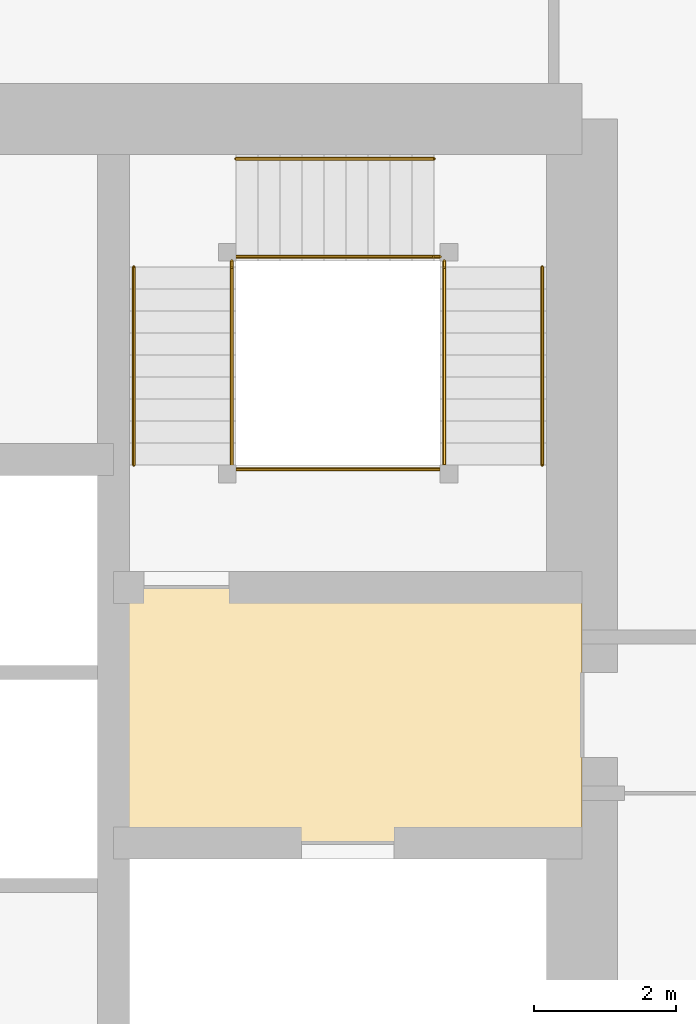
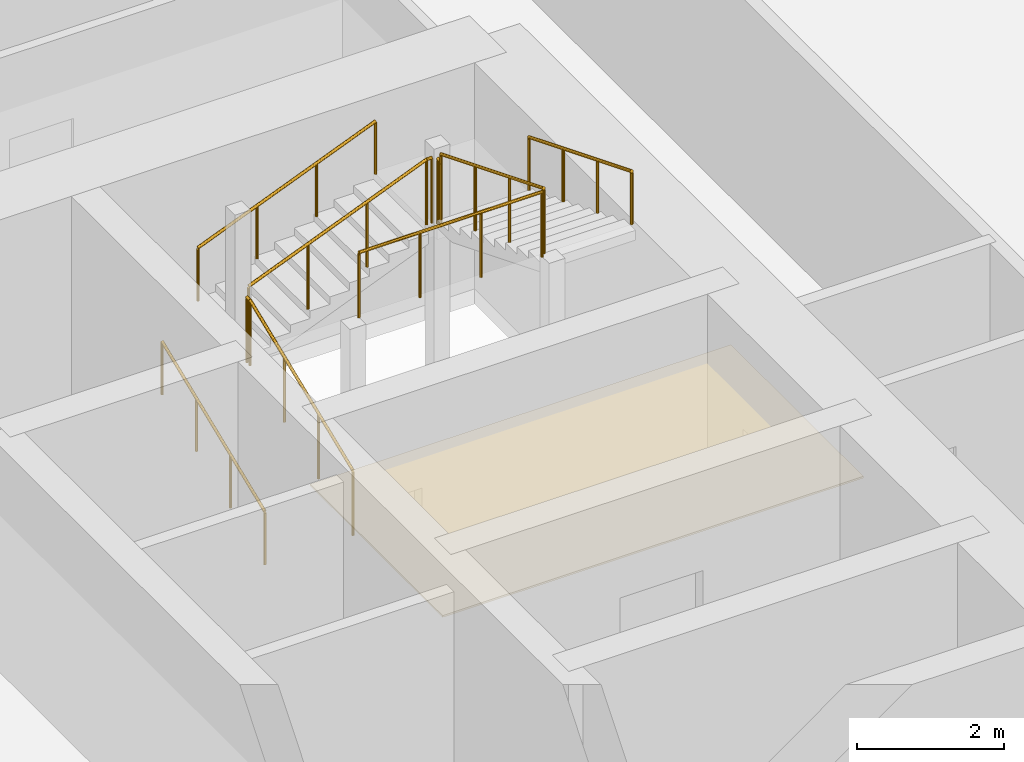
# One storey, part 32 of 33: 10 railings, 1 covering.
"""IFC4 building model written with IfcOpenShell, lengths in metres."""

from ifc_helpers import new_model, si_unit, direction, frame, origin, origin_2d, place, context, subcontext, project, spatial, polyline, circle, outline, extrude, material, layer, layer_set, type_object, element, save


model = new_model("IFC4")

# Units and contexts
model_context = context("Model", 3, precision=1e-05, world=origin(), true_north=direction((0.0, 1.0)))
body_context = subcontext(model_context, "Body", "Model", "MODEL_VIEW")
ifc_project = project(units=[si_unit("LENGTHUNIT", "METRE"), si_unit("AREAUNIT", "SQUARE_METRE"), si_unit("VOLUMEUNIT", "CUBIC_METRE"), si_unit("PLANEANGLEUNIT", "RADIAN"), si_unit("MASSUNIT", "GRAM", prefix="KILO")], contexts=[model_context])

# Site, building, storey
site_placement = place(None, origin())
site = spatial("IfcSite", under=ifc_project, at=site_placement, CompositionType="ELEMENT")
building_placement = place(site_placement, origin())
building = spatial("IfcBuilding", under=site, at=building_placement, Name="Rekha Terrace Tower", CompositionType="ELEMENT")
storey_placement = place(building_placement, frame((0.0, 0.0, 206.449951171875)))
storey = spatial("IfcBuildingStorey", under=building, at=storey_placement, Name="L52", CompositionType="ELEMENT", Elevation=206.449951171875)

# Covering
ifc_material_1 = material(Name="Powder-coated aluminium pan", Category="aluminium")
ifc_layer = layer(ifc_material_1, 0.030029296875)
ifc_layer_set = layer_set([ifc_layer], Name="Powder-coated aluminium pan")
covering_type = type_object("IfcCoveringType", Name="CL3 300x1200 metal pan ceiling", PredefinedType="CEILING", material=ifc_layer_set)
covering_placement = place(storey_placement, frame((0.0, 0.0, 2.570068359375)))
element("IfcCovering", 1, at=covering_placement, inside=storey, type_object=covering_type, Name="Ceiling L52-FLB2", PredefinedType="CEILING", context=body_context, shape_type="SweptSolid", body=[
    extrude(outline(polyline([(50.39990234375, 39.60009765625), (43.800048828125, 39.60009765625), (43.800048828125, 36.0), (50.39990234375, 36.0), (50.39990234375, 39.60009765625)])), origin(), (0.0, 0.0, 1.0), 0.030029296875),
])

# Railings
ifc_material_2 = material(Name="Stainless steel balustrade", Category="steel")
railing_type_1 = type_object("IfcRailingType", Name="GR1 1100 stair guard", PredefinedType="GUARDRAIL", material=ifc_material_2)
railing_1_placement = place(storey_placement, frame((45.465087890625, 41.324951171875, 0.125)))
element("IfcRailing", 2, at=railing_1_placement, inside=storey, type_object=railing_type_1, Name="Guard ST2 L52 flight 1", PredefinedType="GUARDRAIL", context=body_context, shape_type="SweptSolid", body=[
    extrude(circle(Radius=0.02392578125, at=origin_2d()), frame((0.0, 0.0, 1.076171875), z_axis=(0.0, 0.927443287984, 0.373963831907), x_axis=(-1.0, 0.0, 0.0)), (0.0, 0.0, 1.0), 3.00830078125),
    extrude(circle(Radius=0.02099609375, at=origin_2d()), origin(), (0.0, 0.0, 1.0), 1.052001953125),
    extrude(circle(Radius=0.02099609375, at=origin_2d()), frame((0.0, 0.929931640625, 0.375)), (0.0, 0.0, 1.0), 1.052001953125),
    extrude(circle(Radius=0.02099609375, at=origin_2d()), frame((0.0, 1.860107421875, 0.75)), (0.0, 0.0, 1.0), 1.052001953125),
    extrude(circle(Radius=0.02099609375, at=origin_2d()), frame((0.0, 2.7900390625, 1.125)), (0.0, 0.0, 1.0), 1.052001953125),
])
railing_2_placement = place(storey_placement, frame((45.52490234375, 44.260009765625, 1.375)))
element("IfcRailing", 3, at=railing_2_placement, inside=storey, type_object=railing_type_1, Name="Guard ST2 L52 flight 2", PredefinedType="GUARDRAIL", context=body_context, shape_type="SweptSolid", body=[
    extrude(circle(Radius=0.02392578125, at=origin_2d()), frame((0.0, 0.0, 1.076171875), z_axis=(0.927443287984, 0.0, 0.373963831907), x_axis=(0.0, 1.0, 0.0)), (0.0, 0.0, 1.0), 3.00830078125),
    extrude(circle(Radius=0.02099609375, at=origin_2d()), origin(), (0.0, 0.0, 1.0), 1.052001953125),
    extrude(circle(Radius=0.02099609375, at=origin_2d()), frame((0.929931640625, 0.0, 0.375)), (0.0, 0.0, 1.0), 1.052001953125),
    extrude(circle(Radius=0.02099609375, at=origin_2d()), frame((1.860107421875, 0.0, 0.75)), (0.0, 0.0, 1.0), 1.052001953125),
    extrude(circle(Radius=0.02099609375, at=origin_2d()), frame((2.7900390625, 0.0, 1.125)), (0.0, 0.0, 1.0), 1.052001953125),
])
railing_3_placement = place(storey_placement, frame((48.4599609375, 44.114990234375, 2.625)))
element("IfcRailing", 4, at=railing_3_placement, inside=storey, type_object=railing_type_1, Name="Guard ST2 L52 flight 3", PredefinedType="GUARDRAIL", context=body_context, shape_type="SweptSolid", body=[
    extrude(circle(Radius=0.02392578125, at=origin_2d()), frame((0.0, 0.0, 1.076171875), z_axis=(0.0, -0.927443287984, 0.373963831907), x_axis=(1.0, 0.0, 0.0)), (0.0, 0.0, 1.0), 3.00830078125),
    extrude(circle(Radius=0.02099609375, at=origin_2d()), origin(), (0.0, 0.0, 1.0), 1.052001953125),
    extrude(circle(Radius=0.02099609375, at=origin_2d()), frame((0.0, -0.929931640625, 0.375)), (0.0, 0.0, 1.0), 1.052001953125),
    extrude(circle(Radius=0.02099609375, at=origin_2d()), frame((0.0, -1.860107421875, 0.75)), (0.0, 0.0, 1.0), 1.052001953125),
    extrude(circle(Radius=0.02099609375, at=origin_2d()), frame((0.0, -2.7900390625, 1.125)), (0.0, 0.0, 1.0), 1.052001953125),
])
railing_4_placement = place(storey_placement, frame((45.465087890625, 44.114990234375, 1.25)))
element("IfcRailing", 5, at=railing_4_placement, inside=storey, type_object=railing_type_1, Name="Guard ST2 L52 landing 1", PredefinedType="GUARDRAIL", context=body_context, shape_type="SweptSolid", body=[
    extrude(circle(Radius=0.02392578125, at=origin_2d()), frame((0.0, 0.0, 1.076171875), z_axis=(0.0, 1.0, 0.0), x_axis=(-1.0, 0.0, 0.0)), (0.0, 0.0, 1.0), 0.0849609375),
    extrude(circle(Radius=0.02099609375, at=origin_2d()), origin(), (0.0, 0.0, 1.0), 1.052001953125),
    extrude(circle(Radius=0.02099609375, at=origin_2d()), frame((0.0, 0.0849609375, 0.0)), (0.0, 0.0, 1.0), 1.052001953125),
])
railing_5_placement = place(storey_placement, frame((48.31494140625, 44.260009765625, 2.5)))
element("IfcRailing", 6, at=railing_5_placement, inside=storey, type_object=railing_type_1, Name="Guard ST2 L52 landing 2", PredefinedType="GUARDRAIL", context=body_context, shape_type="SweptSolid", body=[
    extrude(circle(Radius=0.02392578125, at=origin_2d()), frame((0.0, 0.0, 1.076171875), z_axis=(1.0, 0.0, 0.0), x_axis=(0.0, 1.0, 0.0)), (0.0, 0.0, 1.0), 0.0849609375),
    extrude(circle(Radius=0.02099609375, at=origin_2d()), origin(), (0.0, 0.0, 1.0), 1.052001953125),
    extrude(circle(Radius=0.02099609375, at=origin_2d()), frame((0.0849609375, 0.0, 0.0)), (0.0, 0.0, 1.0), 1.052001953125),
])
railing_6_placement = place(storey_placement, frame((48.4599609375, 44.114990234375, 2.5)))
element("IfcRailing", 7, at=railing_6_placement, inside=storey, type_object=railing_type_1, Name="Guard ST2 L52 landing 3", PredefinedType="GUARDRAIL", context=body_context, shape_type="SweptSolid", body=[
    extrude(circle(Radius=0.02392578125, at=origin_2d()), frame((0.0, 0.0, 1.076171875), z_axis=(0.0, 1.0, 0.0), x_axis=(-1.0, 0.0, 0.0)), (0.0, 0.0, 1.0), 0.0849609375),
    extrude(circle(Radius=0.02099609375, at=origin_2d()), origin(), (0.0, 0.0, 1.0), 1.052001953125),
    extrude(circle(Radius=0.02099609375, at=origin_2d()), frame((0.0, 0.0849609375, 0.0)), (0.0, 0.0, 1.0), 1.052001953125),
])
railing_7_placement = place(storey_placement, frame((45.52490234375, 41.264892578125, 3.75)))
element("IfcRailing", 8, at=railing_7_placement, inside=storey, type_object=railing_type_1, Name="Guard ST2 L52 landing 4", PredefinedType="GUARDRAIL", context=body_context, shape_type="SweptSolid", body=[
    extrude(circle(Radius=0.02392578125, at=origin_2d()), frame((0.0, 0.0, 1.076171875), z_axis=(1.0, 0.0, 0.0), x_axis=(0.0, 1.0, 0.0)), (0.0, 0.0, 1.0), 2.875),
    extrude(circle(Radius=0.02099609375, at=origin_2d()), origin(), (0.0, 0.0, 1.0), 1.052001953125),
    extrude(circle(Radius=0.02099609375, at=origin_2d()), frame((0.958251953125, 0.0, 0.0)), (0.0, 0.0, 1.0), 1.052001953125),
    extrude(circle(Radius=0.02099609375, at=origin_2d()), frame((1.916748046875, 0.0, 0.0)), (0.0, 0.0, 1.0), 1.052001953125),
    extrude(circle(Radius=0.02099609375, at=origin_2d()), frame((2.875, 0.0, 0.0)), (0.0, 0.0, 1.0), 1.052001953125),
])
ifc_material_3 = material(Name="Stainless steel tube", Category="steel")
railing_type_2 = type_object("IfcRailingType", Name="HR1 900 stair handrail", PredefinedType="HANDRAIL", material=ifc_material_3)
railing_8_placement = place(storey_placement, frame((44.0849609375, 41.324951171875, 0.125)))
element("IfcRailing", 9, at=railing_8_placement, inside=storey, type_object=railing_type_2, Name="Handrail ST2 L52 flight 1", PredefinedType="HANDRAIL", context=body_context, shape_type="SweptSolid", body=[
    extrude(circle(Radius=0.02392578125, at=origin_2d()), frame((0.0, 0.0, 0.8759765625), z_axis=(0.0, 0.927443287984, 0.373963831907), x_axis=(-1.0, 0.0, 0.0)), (0.0, 0.0, 1.0), 3.00830078125),
    extrude(circle(Radius=0.02099609375, at=origin_2d()), origin(), (0.0, 0.0, 1.0), 0.851806640625),
    extrude(circle(Radius=0.02099609375, at=origin_2d()), frame((0.0, 0.929931640625, 0.375)), (0.0, 0.0, 1.0), 0.851806640625),
    extrude(circle(Radius=0.02099609375, at=origin_2d()), frame((0.0, 1.860107421875, 0.75)), (0.0, 0.0, 1.0), 0.851806640625),
    extrude(circle(Radius=0.02099609375, at=origin_2d()), frame((0.0, 2.7900390625, 1.125)), (0.0, 0.0, 1.0), 0.851806640625),
])
railing_9_placement = place(storey_placement, frame((45.52490234375, 45.639892578125, 1.375)))
element("IfcRailing", 10, at=railing_9_placement, inside=storey, type_object=railing_type_2, Name="Handrail ST2 L52 flight 2", PredefinedType="HANDRAIL", context=body_context, shape_type="SweptSolid", body=[
    extrude(circle(Radius=0.02392578125, at=origin_2d()), frame((0.0, 0.0, 0.8759765625), z_axis=(0.927443287984, 0.0, 0.373963831907), x_axis=(0.0, 1.0, 0.0)), (0.0, 0.0, 1.0), 3.00830078125),
    extrude(circle(Radius=0.02099609375, at=origin_2d()), origin(), (0.0, 0.0, 1.0), 0.851806640625),
    extrude(circle(Radius=0.02099609375, at=origin_2d()), frame((0.929931640625, 0.0, 0.375)), (0.0, 0.0, 1.0), 0.851806640625),
    extrude(circle(Radius=0.02099609375, at=origin_2d()), frame((1.860107421875, 0.0, 0.75)), (0.0, 0.0, 1.0), 0.851806640625),
    extrude(circle(Radius=0.02099609375, at=origin_2d()), frame((2.7900390625, 0.0, 1.125)), (0.0, 0.0, 1.0), 0.851806640625),
])
railing_10_placement = place(storey_placement, frame((49.840087890625, 44.114990234375, 2.625)))
element("IfcRailing", 11, at=railing_10_placement, inside=storey, type_object=railing_type_2, Name="Handrail ST2 L52 flight 3", PredefinedType="HANDRAIL", context=body_context, shape_type="SweptSolid", body=[
    extrude(circle(Radius=0.02392578125, at=origin_2d()), frame((0.0, 0.0, 0.8759765625), z_axis=(0.0, -0.927443287984, 0.373963831907), x_axis=(1.0, 0.0, 0.0)), (0.0, 0.0, 1.0), 3.00830078125),
    extrude(circle(Radius=0.02099609375, at=origin_2d()), origin(), (0.0, 0.0, 1.0), 0.851806640625),
    extrude(circle(Radius=0.02099609375, at=origin_2d()), frame((0.0, -0.929931640625, 0.375)), (0.0, 0.0, 1.0), 0.851806640625),
    extrude(circle(Radius=0.02099609375, at=origin_2d()), frame((0.0, -1.860107421875, 0.75)), (0.0, 0.0, 1.0), 0.851806640625),
    extrude(circle(Radius=0.02099609375, at=origin_2d()), frame((0.0, -2.7900390625, 1.125)), (0.0, 0.0, 1.0), 0.851806640625),
])

save(model, "model.ifc")
